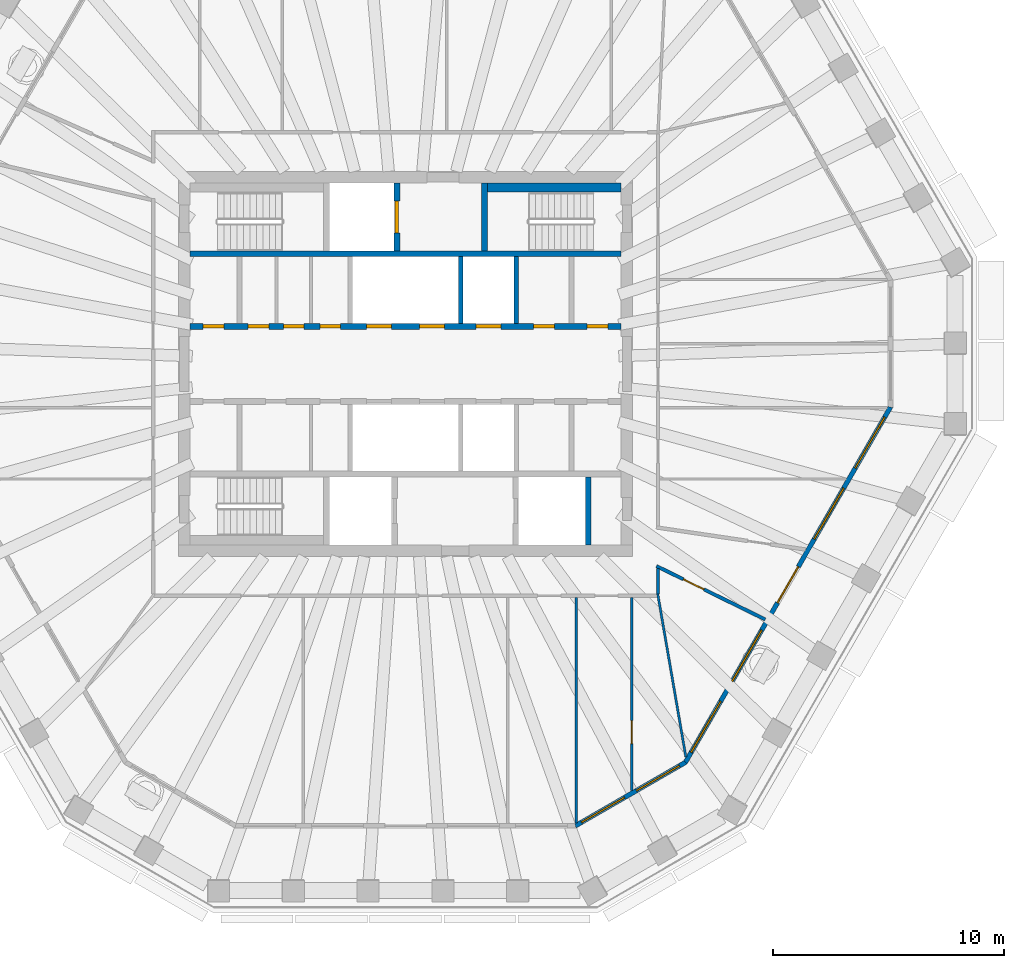
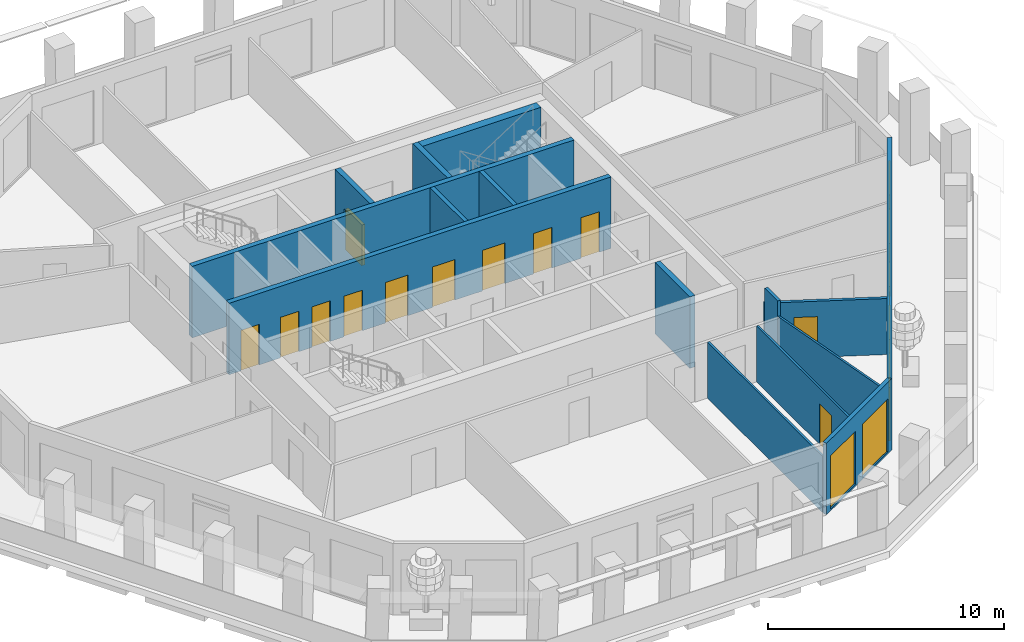
# One storey, part 5 of 12: 15 walls, 13 doors, 7 windows, 20 openings.
"""IFC4 building model written with IfcOpenShell, lengths in metres."""

from ifc_helpers import new_model, si_unit, direction, frame, frame_2d, origin, place, context, subcontext, project, spatial, polyline, rectangle, outline, extrude, material, layer, layer_set, type_object, element, fill, save


model = new_model("IFC4")

# Units and contexts
model_context = context("Model", 3, precision=1e-05, world=origin(), true_north=direction((0.0, 1.0)))
body_context = subcontext(model_context, "Body", "Model", "MODEL_VIEW")
ifc_project = project(units=[si_unit("LENGTHUNIT", "METRE"), si_unit("AREAUNIT", "SQUARE_METRE"), si_unit("VOLUMEUNIT", "CUBIC_METRE"), si_unit("PLANEANGLEUNIT", "RADIAN"), si_unit("MASSUNIT", "GRAM", prefix="KILO")], contexts=[model_context])

# Site, building, storey
site_placement = place(None, origin())
site = spatial("IfcSite", under=ifc_project, at=site_placement, CompositionType="ELEMENT")
building_placement = place(site_placement, origin())
building = spatial("IfcBuilding", under=site, at=building_placement, Name="Frailejon Research Tower", CompositionType="ELEMENT")
storey_placement = place(building_placement, frame((0.0, 0.0, 291.0)))
storey = spatial("IfcBuildingStorey", under=building, at=storey_placement, Name="L64", CompositionType="ELEMENT", Elevation=291.0)

# Wall
ifc_material_1 = material(Name="Gypsum board and masonry partition", Category="masonry")
ifc_layer_1 = layer(ifc_material_1, 0.14990234375)
ifc_layer_set_1 = layer_set([ifc_layer_1], Name="Corridor wall EI 60, gypsum on steel studs 150")
wall_type_1 = type_object("IfcWallType", Name="Corridor wall EI 60, gypsum on steel studs 150", PredefinedType="PARTITIONING", material=ifc_layer_set_1)
wall_1_placement = place(storey_placement, frame((10.949951171875, -9.97509765625, 0.0), z_axis=(0.0, 0.0, 1.0), x_axis=(0.0, 1.0, 0.0)))
element("IfcWall", 1, at=wall_1_placement, inside=storey, type_object=wall_type_1, Name="T:IW:L64:003", PredefinedType="PARTITIONING", context=body_context, shape_type="SweptSolid", body=[
    extrude(rectangle(XDim=1.10009765625, YDim=0.14990234375, at=frame_2d((0.550048828125, 0.0))), origin(), (0.0, 0.0, 1.0), 3.699951171875),
])

# Wall, opening, door
wall_2_placement = place(storey_placement, frame((10.8828125, -8.76708984375, 0.0), z_axis=(0.0, 0.0, 1.0), x_axis=(0.897683987508, -0.440639828625, 0.0)))
wall_2 = element("IfcWall", 2, at=wall_2_placement, inside=storey, type_object=wall_type_1, Name="T:IW:L64:009", PredefinedType="PARTITIONING", context=body_context, shape_type="SweptSolid", body=[
    extrude(rectangle(XDim=5.253662109375, YDim=0.14990234375, at=frame_2d((2.626953125, 0.0))), origin(), (0.0, 0.0, 1.0), 2.89990234375),
])
opening_1_placement = place(wall_2_placement, frame((1.294677734375, 0.0, 0.0)))
opening_1 = element("IfcOpeningElement", 3, at=opening_1_placement, cuts=wall_2, Name="Opening D2241", PredefinedType="OPENING", context=body_context, shape_type="SweptSolid", body=[
    extrude(rectangle(XDim=1.0, YDim=2.10009765625, at=frame_2d((0.5, 1.050048828125))), frame((0.0, 0.0849609375, 0.0), z_axis=(0.0, -1.0, 0.0), x_axis=(1.0, 0.0, 0.0)), (0.0, 0.0, 1.0), 0.169921875),
])
ifc_material_2 = material(Name="Timber door leaf", Category="wood")
door_type_1 = type_object("IfcDoorType", Name="Door single leaf, timber, steel frame 1000", OperationType="NOTDEFINED", PredefinedType="DOOR", material=ifc_material_2)
door_1_placement = place(opening_1_placement, origin())
door_1 = element("IfcDoor", 4, at=door_1_placement, inside=storey, type_object=door_type_1, Name="D2241", OperationType="SINGLE_SWING_RIGHT", OverallHeight=2.10009765625, OverallWidth=1.0, PredefinedType="DOOR", context=body_context, shape_type="SweptSolid", body=[
    extrude(rectangle(XDim=1.0, YDim=2.10009765625, at=frame_2d((0.5, 1.050048828125))), frame((0.0, 0.02490234375, 0.0), z_axis=(0.0, -1.0, 0.0), x_axis=(1.0, 0.0, 0.0)), (0.0, 0.0, 1.0), 0.050048828125),
])
fill(opening_1, door_1)

# Wall
ifc_material_3 = material(Name="Gypsum board and masonry partition", Category="masonry")
ifc_layer_2 = layer(ifc_material_3, 0.10009765625)
ifc_layer_set_2 = layer_set([ifc_layer_2], Name="Partition, gypsum on steel studs 100")
wall_type_2 = type_object("IfcWallType", Name="Partition, gypsum on steel studs 100", PredefinedType="PARTITIONING", material=ifc_layer_set_2)
wall_3_placement = place(storey_placement, frame((7.397705078125, -19.89892578125, 0.0), z_axis=(0.0, 0.0, 1.0), x_axis=(0.0, 1.0, 0.0)))
element("IfcWall", 5, at=wall_3_placement, inside=storey, type_object=wall_type_2, Name="T:IW:L64:026", PredefinedType="PARTITIONING", context=body_context, shape_type="SweptSolid", body=[
    extrude(rectangle(XDim=9.77392578125, YDim=0.10009765625, at=frame_2d((4.886962890625, 0.0))), origin(), (0.0, 0.0, 1.0), 2.89990234375),
])

# Wall, opening, door
wall_4_placement = place(storey_placement, frame((9.803955078125, -18.509765625, 0.0), z_axis=(0.0, 0.0, 1.0), x_axis=(0.0, 1.0, 0.0)))
wall_4 = element("IfcWall", 6, at=wall_4_placement, inside=storey, type_object=wall_type_2, Name="T:IW:L64:027", PredefinedType="PARTITIONING", context=body_context, shape_type="SweptSolid", body=[
    extrude(rectangle(XDim=8.384765625, YDim=0.10009765625, at=frame_2d((4.1923828125, 0.0))), origin(), (0.0, 0.0, 1.0), 2.89990234375),
])
opening_2_placement = place(wall_4_placement, frame((2.039794921875, 0.0, 0.0)))
opening_2 = element("IfcOpeningElement", 7, at=opening_2_placement, cuts=wall_4, Name="Opening D2240", PredefinedType="OPENING", context=body_context, shape_type="SweptSolid", body=[
    extrude(rectangle(XDim=1.0, YDim=2.10009765625, at=frame_2d((0.5, 1.050048828125))), frame((0.0, 0.06005859375, 0.0), z_axis=(0.0, -1.0, 0.0), x_axis=(1.0, 0.0, 0.0)), (0.0, 0.0, 1.0), 0.1201171875),
])
door_2_placement = place(opening_2_placement, origin())
door_2 = element("IfcDoor", 8, at=door_2_placement, inside=storey, type_object=door_type_1, Name="D2240", OperationType="SINGLE_SWING_RIGHT", OverallHeight=2.10009765625, OverallWidth=1.0, PredefinedType="DOOR", context=body_context, shape_type="SweptSolid", body=[
    extrude(rectangle(XDim=1.0, YDim=2.10009765625, at=frame_2d((0.5, 1.050048828125))), frame((0.0, 0.02490234375, 0.0), z_axis=(0.0, -1.0, 0.0), x_axis=(1.0, 0.0, 0.0)), (0.0, 0.0, 1.0), 0.050048828125),
])
fill(opening_2, door_2)

# Walls
wall_5_placement = place(storey_placement, frame((10.937255859375, -9.97607421875, 0.0), z_axis=(0.0, 0.0, 1.0), x_axis=(0.170071067824, -0.985431799715, 0.0)))
element("IfcWall", 9, at=wall_5_placement, inside=storey, type_object=wall_type_2, Name="T:IW:L64:028", PredefinedType="PARTITIONING", context=body_context, shape_type="SweptSolid", body=[
    extrude(rectangle(XDim=7.171875, YDim=0.10009765625, at=frame_2d((3.5859375, 0.0))), origin(), (0.0, 0.0, 1.0), 2.89990234375),
])
ifc_material_4 = material(Name="Concrete C50/60", Category="concrete")
ifc_layer_3 = layer(ifc_material_4, 0.199951171875)
ifc_layer_set_3 = layer_set([ifc_layer_3], Name="Shaft wall 200 C50/60")
wall_type_3 = type_object("IfcWallType", Name="Shaft wall 200 C50/60", PredefinedType="SOLIDWALL", material=ifc_layer_set_3)
for number, where, z_axis, x_axis, name in (
    (10, (2.39990234375, 1.75, 0.0), (0.0, 0.0, 1.0), (0.0, 1.0, 0.0), "Shaft wall"),
    (11, (4.800048828125, 1.75, 0.0), (0.0, 0.0, 1.0), (0.0, 1.0, 0.0), "Shaft wall"),
):
    element("IfcWall", number, at=place(storey_placement, frame(where, z_axis=z_axis, x_axis=x_axis)), inside=storey, type_object=wall_type_3, Name=name, PredefinedType="SOLIDWALL", context=body_context, shape_type="SweptSolid", body=[
        extrude(rectangle(XDim=2.89990234375, YDim=0.199951171875, at=frame_2d((1.449951171875, 0.0))), origin(), (0.0, 0.0, 1.0), 3.699951171875),
    ])

# Wall, openings, doors
ifc_material_5 = material(Name="Concrete C50/60", Category="concrete")
ifc_layer_4 = layer(ifc_material_5, 0.25)
ifc_layer_set_4 = layer_set([ifc_layer_4], Name="Shaft wall 250 C50/60")
wall_type_4 = type_object("IfcWallType", Name="Shaft wall 250 C50/60", PredefinedType="SOLIDWALL", material=ifc_layer_set_4)
wall_6_placement = place(storey_placement, frame((-9.35009765625, 1.625, 0.0), z_axis=(0.0, 0.0, 1.0), x_axis=(1.0, 0.0, 0.0)))
wall_6 = element("IfcWall", 12, at=wall_6_placement, inside=storey, type_object=wall_type_4, Name="Shaft wall", PredefinedType="SOLIDWALL", context=body_context, shape_type="SweptSolid", body=[
    extrude(rectangle(XDim=18.7001953125, YDim=0.25, at=frame_2d((9.35009765625, 0.0))), origin(), (0.0, 0.0, 1.0), 3.699951171875),
])
opening_3_placement = place(wall_6_placement, frame((7.64990234375, 0.0, 0.0)))
opening_3 = element("IfcOpeningElement", 13, at=opening_3_placement, cuts=wall_6, Name="Opening LD", PredefinedType="OPENING", context=body_context, shape_type="SweptSolid", body=[
    extrude(rectangle(XDim=1.10009765625, YDim=2.10009765625, at=frame_2d((0.550048828125, 1.050048828125))), frame((0.0, 0.135009765625, 0.0), z_axis=(0.0, -1.0, 0.0), x_axis=(1.0, 0.0, 0.0)), (0.0, 0.0, 1.0), 0.27001953125),
])
opening_4_placement = place(wall_6_placement, frame((9.949951171875, 0.0, 0.0)))
opening_4 = element("IfcOpeningElement", 14, at=opening_4_placement, cuts=wall_6, Name="Opening LD", PredefinedType="OPENING", context=body_context, shape_type="SweptSolid", body=[
    extrude(rectangle(XDim=1.10009765625, YDim=2.10009765625, at=frame_2d((0.550048828125, 1.050048828125))), frame((0.0, 0.135009765625, 0.0), z_axis=(0.0, -1.0, 0.0), x_axis=(1.0, 0.0, 0.0)), (0.0, 0.0, 1.0), 0.27001953125),
])
opening_5_placement = place(wall_6_placement, frame((12.39990234375, 0.0, 0.0)))
opening_5 = element("IfcOpeningElement", 15, at=opening_5_placement, cuts=wall_6, Name="Opening LD", PredefinedType="OPENING", context=body_context, shape_type="SweptSolid", body=[
    extrude(rectangle(XDim=1.10009765625, YDim=2.10009765625, at=frame_2d((0.550048828125, 1.050048828125))), frame((0.0, 0.135009765625, 0.0), z_axis=(0.0, -1.0, 0.0), x_axis=(1.0, 0.0, 0.0)), (0.0, 0.0, 1.0), 0.27001953125),
])
opening_6_placement = place(wall_6_placement, frame((0.574951171875, 0.0, 0.0)))
opening_6 = element("IfcOpeningElement", 16, at=opening_6_placement, cuts=wall_6, Name="Opening D8", PredefinedType="OPENING", context=body_context, shape_type="SweptSolid", body=[
    extrude(rectangle(XDim=0.89990234375, YDim=2.10009765625, at=frame_2d((0.449951171875, 1.050048828125))), frame((0.0, 0.135009765625, 0.0), z_axis=(0.0, -1.0, 0.0), x_axis=(1.0, 0.0, 0.0)), (0.0, 0.0, 1.0), 0.27001953125),
])
opening_7_placement = place(wall_6_placement, frame((2.518798828125, 0.0, 0.0)))
opening_7 = element("IfcOpeningElement", 17, at=opening_7_placement, cuts=wall_6, Name="Opening D8", PredefinedType="OPENING", context=body_context, shape_type="SweptSolid", body=[
    extrude(rectangle(XDim=0.89990234375, YDim=2.10009765625, at=frame_2d((0.449951171875, 1.050048828125))), frame((0.0, 0.135009765625, 0.0), z_axis=(0.0, -1.0, 0.0), x_axis=(1.0, 0.0, 0.0)), (0.0, 0.0, 1.0), 0.27001953125),
])
opening_8_placement = place(wall_6_placement, frame((4.050048828125, 0.0, 0.0)))
opening_8 = element("IfcOpeningElement", 18, at=opening_8_placement, cuts=wall_6, Name="Opening D8", PredefinedType="OPENING", context=body_context, shape_type="SweptSolid", body=[
    extrude(rectangle(XDim=0.89990234375, YDim=2.10009765625, at=frame_2d((0.449951171875, 1.050048828125))), frame((0.0, 0.135009765625, 0.0), z_axis=(0.0, -1.0, 0.0), x_axis=(1.0, 0.0, 0.0)), (0.0, 0.0, 1.0), 0.27001953125),
])
opening_9_placement = place(wall_6_placement, frame((5.631103515625, 0.0, 0.0)))
opening_9 = element("IfcOpeningElement", 19, at=opening_9_placement, cuts=wall_6, Name="Opening D8", PredefinedType="OPENING", context=body_context, shape_type="SweptSolid", body=[
    extrude(rectangle(XDim=0.89990234375, YDim=2.10009765625, at=frame_2d((0.449951171875, 1.050048828125))), frame((0.0, 0.135009765625, 0.0), z_axis=(0.0, -1.0, 0.0), x_axis=(1.0, 0.0, 0.0)), (0.0, 0.0, 1.0), 0.27001953125),
])
opening_10_placement = place(wall_6_placement, frame((14.89990234375, 0.0, 0.0)))
opening_10 = element("IfcOpeningElement", 20, at=opening_10_placement, cuts=wall_6, Name="Opening D8", PredefinedType="OPENING", context=body_context, shape_type="SweptSolid", body=[
    extrude(rectangle(XDim=0.89990234375, YDim=2.10009765625, at=frame_2d((0.449951171875, 1.050048828125))), frame((0.0, 0.135009765625, 0.0), z_axis=(0.0, -1.0, 0.0), x_axis=(1.0, 0.0, 0.0)), (0.0, 0.0, 1.0), 0.27001953125),
])
opening_11_placement = place(wall_6_placement, frame((17.22509765625, 0.0, 0.0)))
opening_11 = element("IfcOpeningElement", 21, at=opening_11_placement, cuts=wall_6, Name="Opening D8", PredefinedType="OPENING", context=body_context, shape_type="SweptSolid", body=[
    extrude(rectangle(XDim=0.89990234375, YDim=2.10009765625, at=frame_2d((0.449951171875, 1.050048828125))), frame((0.0, 0.135009765625, 0.0), z_axis=(0.0, -1.0, 0.0), x_axis=(1.0, 0.0, 0.0)), (0.0, 0.0, 1.0), 0.27001953125),
])
ifc_material_6 = material(Name="Steel", Category="steel")
door_type_2 = type_object("IfcDoorType", Name="Core room door", OperationType="SINGLE_SWING_LEFT", PredefinedType="DOOR", material=ifc_material_6)
door_3_placement = place(opening_6_placement, origin())
door_3 = element("IfcDoor", 22, at=door_3_placement, inside=storey, type_object=door_type_2, Name="Room door", OperationType="SINGLE_SWING_LEFT", OverallHeight=2.10009765625, OverallWidth=0.89990234375, PredefinedType="DOOR", context=body_context, shape_type="SweptSolid", body=[
    extrude(rectangle(XDim=0.89990234375, YDim=2.10009765625, at=frame_2d((0.449951171875, 1.050048828125))), frame((0.0, 0.074951171875, 0.0), z_axis=(0.0, -1.0, 0.0), x_axis=(1.0, 0.0, 0.0)), (0.0, 0.0, 1.0), 0.14990234375),
])
fill(opening_6, door_3)
door_4_placement = place(opening_7_placement, origin())
door_4 = element("IfcDoor", 23, at=door_4_placement, inside=storey, type_object=door_type_2, Name="Room door", OperationType="SINGLE_SWING_RIGHT", OverallHeight=2.10009765625, OverallWidth=0.89990234375, PredefinedType="DOOR", context=body_context, shape_type="SweptSolid", body=[
    extrude(rectangle(XDim=0.89990234375, YDim=2.10009765625, at=frame_2d((0.449951171875, 1.050048828125))), frame((0.0, 0.074951171875, 0.0), z_axis=(0.0, -1.0, 0.0), x_axis=(1.0, 0.0, 0.0)), (0.0, 0.0, 1.0), 0.14990234375),
])
fill(opening_7, door_4)
door_5_placement = place(opening_8_placement, origin())
door_5 = element("IfcDoor", 24, at=door_5_placement, inside=storey, type_object=door_type_2, Name="Room door", OperationType="SINGLE_SWING_LEFT", OverallHeight=2.10009765625, OverallWidth=0.89990234375, PredefinedType="DOOR", context=body_context, shape_type="SweptSolid", body=[
    extrude(rectangle(XDim=0.89990234375, YDim=2.10009765625, at=frame_2d((0.449951171875, 1.050048828125))), frame((0.0, 0.074951171875, 0.0), z_axis=(0.0, -1.0, 0.0), x_axis=(1.0, 0.0, 0.0)), (0.0, 0.0, 1.0), 0.14990234375),
])
fill(opening_8, door_5)
door_6_placement = place(opening_9_placement, origin())
door_6 = element("IfcDoor", 25, at=door_6_placement, inside=storey, type_object=door_type_2, Name="Room door", OperationType="SINGLE_SWING_RIGHT", OverallHeight=2.10009765625, OverallWidth=0.89990234375, PredefinedType="DOOR", context=body_context, shape_type="SweptSolid", body=[
    extrude(rectangle(XDim=0.89990234375, YDim=2.10009765625, at=frame_2d((0.449951171875, 1.050048828125))), frame((0.0, 0.074951171875, 0.0), z_axis=(0.0, -1.0, 0.0), x_axis=(1.0, 0.0, 0.0)), (0.0, 0.0, 1.0), 0.14990234375),
])
fill(opening_9, door_6)
door_7_placement = place(opening_10_placement, origin())
door_7 = element("IfcDoor", 26, at=door_7_placement, inside=storey, type_object=door_type_2, Name="Room door", OperationType="SINGLE_SWING_LEFT", OverallHeight=2.10009765625, OverallWidth=0.89990234375, PredefinedType="DOOR", context=body_context, shape_type="SweptSolid", body=[
    extrude(rectangle(XDim=0.89990234375, YDim=2.10009765625, at=frame_2d((0.449951171875, 1.050048828125))), frame((0.0, 0.074951171875, 0.0), z_axis=(0.0, -1.0, 0.0), x_axis=(1.0, 0.0, 0.0)), (0.0, 0.0, 1.0), 0.14990234375),
])
fill(opening_10, door_7)
door_8_placement = place(opening_11_placement, origin())
door_8 = element("IfcDoor", 27, at=door_8_placement, inside=storey, type_object=door_type_2, Name="Room door", OperationType="SINGLE_SWING_RIGHT", OverallHeight=2.10009765625, OverallWidth=0.89990234375, PredefinedType="DOOR", context=body_context, shape_type="SweptSolid", body=[
    extrude(rectangle(XDim=0.89990234375, YDim=2.10009765625, at=frame_2d((0.449951171875, 1.050048828125))), frame((0.0, 0.074951171875, 0.0), z_axis=(0.0, -1.0, 0.0), x_axis=(1.0, 0.0, 0.0)), (0.0, 0.0, 1.0), 0.14990234375),
])
fill(opening_11, door_8)
ifc_material_7 = material(Name="Steel", Category="steel")
door_type_3 = type_object("IfcDoorType", Name="Lift landing door", OperationType="DOUBLE_DOOR_SLIDING", PredefinedType="DOOR", material=ifc_material_7)
door_9_placement = place(opening_3_placement, origin())
door_9 = element("IfcDoor", 28, at=door_9_placement, inside=storey, type_object=door_type_3, Name="Lift landing door", OperationType="DOUBLE_DOOR_SLIDING", OverallHeight=2.10009765625, OverallWidth=1.10009765625, PredefinedType="DOOR", context=body_context, shape_type="SweptSolid", body=[
    extrude(rectangle(XDim=1.10009765625, YDim=2.10009765625, at=frame_2d((0.550048828125, 1.050048828125))), frame((0.0, 0.074951171875, 0.0), z_axis=(0.0, -1.0, 0.0), x_axis=(1.0, 0.0, 0.0)), (0.0, 0.0, 1.0), 0.14990234375),
])
fill(opening_3, door_9)
door_10_placement = place(opening_4_placement, origin())
door_10 = element("IfcDoor", 29, at=door_10_placement, inside=storey, type_object=door_type_3, Name="Lift landing door", OperationType="DOUBLE_DOOR_SLIDING", OverallHeight=2.10009765625, OverallWidth=1.10009765625, PredefinedType="DOOR", context=body_context, shape_type="SweptSolid", body=[
    extrude(rectangle(XDim=1.10009765625, YDim=2.10009765625, at=frame_2d((0.550048828125, 1.050048828125))), frame((0.0, 0.074951171875, 0.0), z_axis=(0.0, -1.0, 0.0), x_axis=(1.0, 0.0, 0.0)), (0.0, 0.0, 1.0), 0.14990234375),
])
fill(opening_4, door_10)
door_11_placement = place(opening_5_placement, origin())
door_11 = element("IfcDoor", 30, at=door_11_placement, inside=storey, type_object=door_type_3, Name="Lift landing door", OperationType="DOUBLE_DOOR_SLIDING", OverallHeight=2.10009765625, OverallWidth=1.10009765625, PredefinedType="DOOR", context=body_context, shape_type="SweptSolid", body=[
    extrude(rectangle(XDim=1.10009765625, YDim=2.10009765625, at=frame_2d((0.550048828125, 1.050048828125))), frame((0.0, 0.074951171875, 0.0), z_axis=(0.0, -1.0, 0.0), x_axis=(1.0, 0.0, 0.0)), (0.0, 0.0, 1.0), 0.14990234375),
])
fill(opening_5, door_11)

# Wall
wall_7_placement = place(storey_placement, frame((-9.35009765625, 4.77490234375, 0.0), z_axis=(0.0, 0.0, 1.0), x_axis=(1.0, 0.0, 0.0)))
element("IfcWall", 31, at=wall_7_placement, inside=storey, type_object=wall_type_4, Name="Shaft wall", PredefinedType="SOLIDWALL", context=body_context, shape_type="SweptSolid", body=[
    extrude(rectangle(XDim=18.7001953125, YDim=0.25, at=frame_2d((9.35009765625, 0.0))), origin(), (0.0, 0.0, 1.0), 3.699951171875),
])

# Wall, opening, door
wall_8_placement = place(storey_placement, frame((-0.375, 4.89990234375, 0.0), z_axis=(0.0, 0.0, 1.0), x_axis=(0.0, 1.0, 0.0)))
wall_8 = element("IfcWall", 32, at=wall_8_placement, inside=storey, type_object=wall_type_4, Name="Shaft wall", PredefinedType="SOLIDWALL", context=body_context, shape_type="SweptSolid", body=[
    extrude(rectangle(XDim=2.9501953125, YDim=0.25, at=frame_2d((1.47509765625, 0.0))), origin(), (0.0, 0.0, 1.0), 3.699951171875),
])
opening_12_placement = place(wall_8_placement, frame((0.77490234375, 0.0, 0.0)))
opening_12 = element("IfcOpeningElement", 33, at=opening_12_placement, cuts=wall_8, Name="Opening LD2", PredefinedType="OPENING", context=body_context, shape_type="SweptSolid", body=[
    extrude(rectangle(XDim=1.39990234375, YDim=2.10009765625, at=frame_2d((0.699951171875, 1.050048828125))), frame((0.0, 0.135009765625, 0.0), z_axis=(0.0, -1.0, 0.0), x_axis=(1.0, 0.0, 0.0)), (0.0, 0.0, 1.0), 0.27001953125),
])
ifc_material_8 = material(Name="Stainless steel", Category="steel")
door_type_4 = type_object("IfcDoorType", Name="Goods landing door", OperationType="DOUBLE_DOOR_SLIDING", PredefinedType="DOOR", material=ifc_material_8)
door_12_placement = place(opening_12_placement, origin())
door_12 = element("IfcDoor", 34, at=door_12_placement, inside=storey, type_object=door_type_4, Name="Lift landing door", OperationType="DOUBLE_DOOR_SLIDING", OverallHeight=2.10009765625, OverallWidth=1.39990234375, PredefinedType="DOOR", context=body_context, shape_type="SweptSolid", body=[
    extrude(rectangle(XDim=1.39990234375, YDim=2.10009765625, at=frame_2d((0.699951171875, 1.050048828125))), frame((0.0, 0.074951171875, 0.0), z_axis=(0.0, -1.0, 0.0), x_axis=(1.0, 0.0, 0.0)), (0.0, 0.0, 1.0), 0.14990234375),
])
fill(opening_12, door_12)

# Walls
for number, where, z_axis, x_axis, name in (
    (35, (3.425048828125, 4.89990234375, 0.0), (0.0, 0.0, 1.0), (0.0, 1.0, 0.0), "Shaft wall"),
    (36, (7.925048828125, -7.85009765625, 0.0), (0.0, 0.0, 1.0), (0.0, 1.0, 0.0), "Shaft wall"),
):
    element("IfcWall", number, at=place(storey_placement, frame(where, z_axis=z_axis, x_axis=x_axis)), inside=storey, type_object=wall_type_4, Name=name, PredefinedType="SOLIDWALL", context=body_context, shape_type="SweptSolid", body=[
        extrude(rectangle(XDim=2.9501953125, YDim=0.25, at=frame_2d((1.47509765625, 0.0))), origin(), (0.0, 0.0, 1.0), 3.699951171875),
    ])
ifc_material_9 = material(Name="Concrete C50/60", Category="concrete")
ifc_layer_5 = layer(ifc_material_9, 0.39990234375)
ifc_layer_set_5 = layer_set([ifc_layer_5], Name="Shaft wall 400 C50/60")
wall_type_5 = type_object("IfcWallType", Name="Shaft wall 400 C50/60", PredefinedType="SOLIDWALL", material=ifc_layer_set_5)
wall_9_placement = place(storey_placement, frame((3.550048828125, 7.64990234375, 0.0), z_axis=(0.0, 0.0, 1.0), x_axis=(1.0, 0.0, 0.0)))
element("IfcWall", 37, at=wall_9_placement, inside=storey, type_object=wall_type_5, Name="Shaft wall", PredefinedType="SOLIDWALL", context=body_context, shape_type="SweptSolid", body=[
    extrude(rectangle(XDim=5.800048828125, YDim=0.39990234375, at=frame_2d((2.89990234375, 0.0))), origin(), (0.0, 0.0, 1.0), 3.699951171875),
])

# Wall, openings, windows
ifc_material_10 = material(Name="Concrete C40/50 precast window wall panel", Category="concrete")
ifc_layer_6 = layer(ifc_material_10, 0.199951171875)
ifc_layer_set_6 = layer_set([ifc_layer_6], Name="Window wall 200")
wall_type_6 = type_object("IfcWallType", Name="Window wall 200", PredefinedType="SOLIDWALL", material=ifc_layer_set_6)
wall_10_placement = place(storey_placement, frame((7.370849609375, -20.02978515625, 0.0), z_axis=(0.0, 0.0, 1.0), x_axis=(0.866045226484, 0.499965664505, 0.0)))
wall_10 = element("IfcWall", 38, at=wall_10_placement, inside=storey, type_object=wall_type_6, Name="Exterior wall L64", PredefinedType="SOLIDWALL", context=body_context, shape_type="SweptSolid", body=[
    extrude(outline(polyline([(-0.02685546875, -0.10009765625), (1.08447265625, -0.10009765625), (2.196044921875, -0.10009765625), (3.307373046875, -0.10009765625), (4.4189453125, -0.10009765625), (5.5302734375, -0.10009765625), (5.4765625, 0.10009765625), (4.38671875, 0.10009765625), (3.296630859375, 0.10009765625), (2.206787109375, 0.10009765625), (1.11669921875, 0.10009765625), (0.02685546875, 0.10009765625), (-0.02685546875, -0.10009765625)])), origin(), (0.0, 0.0, 1.0), 3.699951171875),
])
opening_13_placement = place(wall_10_placement, frame((0.30078125, 0.0, 0.10009765625)))
opening_13 = element("IfcOpeningElement", 39, at=opening_13_placement, cuts=wall_10, Name="Opening W22", PredefinedType="OPENING", context=body_context, shape_type="SweptSolid", body=[
    extrude(rectangle(XDim=2.14990234375, YDim=2.75, at=frame_2d((1.074951171875, 1.375))), frame((0.0, 0.10986328125, 0.0), z_axis=(0.0, -1.0, 0.0), x_axis=(1.0, 0.0, 0.0)), (0.0, 0.0, 1.0), 0.219970703125),
])
opening_14_placement = place(wall_10_placement, frame((3.052490234375, 0.0, 0.10009765625)))
opening_14 = element("IfcOpeningElement", 40, at=opening_14_placement, cuts=wall_10, Name="Opening W22", PredefinedType="OPENING", context=body_context, shape_type="SweptSolid", body=[
    extrude(rectangle(XDim=2.14990234375, YDim=2.75, at=frame_2d((1.074951171875, 1.375))), frame((0.0, 0.10986328125, 0.0), z_axis=(0.0, -1.0, 0.0), x_axis=(1.0, 0.0, 0.0)), (0.0, 0.0, 1.0), 0.219970703125),
])
ifc_material_11 = material(Name="Aluminium framed double glazing", Category="aluminium")
window_type_1 = type_object("IfcWindowType", Name="Window 2150x2750", PartitioningType="SINGLE_PANEL", PredefinedType="WINDOW", material=ifc_material_11)
window_1_placement = place(opening_13_placement, origin())
window_1 = element("IfcWindow", 41, at=window_1_placement, inside=storey, type_object=window_type_1, Name="Window L64", OverallHeight=2.75, OverallWidth=2.14990234375, PartitioningType="SINGLE_PANEL", PredefinedType="WINDOW", context=body_context, shape_type="SweptSolid", body=[
    extrude(rectangle(XDim=2.14990234375, YDim=2.75, at=frame_2d((1.074951171875, 1.375))), frame((0.0, 0.030029296875, 0.0), z_axis=(0.0, -1.0, 0.0), x_axis=(1.0, 0.0, 0.0)), (0.0, 0.0, 1.0), 0.06005859375),
])
fill(opening_13, window_1)
window_2_placement = place(opening_14_placement, origin())
window_2 = element("IfcWindow", 42, at=window_2_placement, inside=storey, type_object=window_type_1, Name="Window L64", OverallHeight=2.75, OverallWidth=2.14990234375, PartitioningType="SINGLE_PANEL", PredefinedType="WINDOW", context=body_context, shape_type="SweptSolid", body=[
    extrude(rectangle(XDim=2.14990234375, YDim=2.75, at=frame_2d((1.074951171875, 1.375))), frame((0.0, 0.030029296875, 0.0), z_axis=(0.0, -1.0, 0.0), x_axis=(1.0, 0.0, 0.0)), (0.0, 0.0, 1.0), 0.06005859375),
])
fill(opening_14, window_2)

# Wall, openings, door, windows
wall_11_placement = place(storey_placement, frame((12.136962890625, -17.2783203125, 0.0), z_axis=(0.0, 0.0, 1.0), x_axis=(0.499992911004, 0.86602949658, 0.0)))
wall_11 = element("IfcWall", 43, at=wall_11_placement, inside=storey, type_object=wall_type_6, Name="Exterior wall L64", PredefinedType="SOLIDWALL", context=body_context, shape_type="SweptSolid", body=[
    extrude(outline(polyline([(-0.02685546875, -0.10009765625), (1.022705078125, -0.10009765625), (2.072265625, -0.10009765625), (3.1220703125, -0.10009765625), (4.171630859375, -0.10009765625), (5.22119140625, -0.10009765625), (6.270751953125, -0.10009765625), (7.320556640625, -0.10009765625), (8.3701171875, -0.10009765625), (9.419677734375, -0.10009765625), (10.46923828125, -0.10009765625), (11.51904296875, -0.10009765625), (12.568603515625, -0.10009765625), (13.6181640625, -0.10009765625), (14.667724609375, -0.10009765625), (15.717529296875, -0.10009765625), (16.76708984375, -0.10009765625), (17.816650390625, -0.10009765625), (17.762939453125, 0.10009765625), (16.7197265625, 0.10009765625), (15.67626953125, 0.10009765625), (14.633056640625, 0.10009765625), (13.58984375, 0.10009765625), (12.54638671875, 0.10009765625), (11.503173828125, 0.10009765625), (10.4599609375, 0.10009765625), (9.41650390625, 0.10009765625), (8.373291015625, 0.10009765625), (7.329833984375, 0.10009765625), (6.28662109375, 0.10009765625), (5.243408203125, 0.10009765625), (4.199951171875, 0.10009765625), (3.15673828125, 0.10009765625), (2.113525390625, 0.10009765625), (1.070068359375, 0.10009765625), (0.02685546875, 0.10009765625), (-0.02685546875, -0.10009765625)])), origin(), (0.0, 0.0, 1.0), 3.699951171875),
])
opening_15_placement = place(wall_11_placement, frame((0.50390625, 0.0, 0.10009765625)))
opening_15 = element("IfcOpeningElement", 44, at=opening_15_placement, cuts=wall_11, Name="Opening W25", PredefinedType="OPENING", context=body_context, shape_type="SweptSolid", body=[
    extrude(rectangle(XDim=2.550048828125, YDim=2.75, at=frame_2d((1.27490234375, 1.375))), frame((0.0, 0.10986328125, 0.0), z_axis=(0.0, -1.0, 0.0), x_axis=(1.0, 0.0, 0.0)), (0.0, 0.0, 1.0), 0.219970703125),
])
opening_16_placement = place(wall_11_placement, frame((4.06201171875, 0.0, 0.10009765625)))
opening_16 = element("IfcOpeningElement", 45, at=opening_16_placement, cuts=wall_11, Name="Opening W25", PredefinedType="OPENING", context=body_context, shape_type="SweptSolid", body=[
    extrude(rectangle(XDim=2.550048828125, YDim=2.75, at=frame_2d((1.27490234375, 1.375))), frame((0.0, 0.10986328125, 0.0), z_axis=(0.0, -1.0, 0.0), x_axis=(1.0, 0.0, 0.0)), (0.0, 0.0, 1.0), 0.219970703125),
])
opening_17_placement = place(wall_11_placement, frame((7.994873046875, 0.0, 0.0)))
opening_17 = element("IfcOpeningElement", 46, at=opening_17_placement, cuts=wall_11, Name="Opening LG64-6", PredefinedType="OPENING", context=body_context, shape_type="SweptSolid", body=[
    extrude(rectangle(XDim=1.800048828125, YDim=2.39990234375, at=frame_2d((0.89990234375, 1.199951171875))), frame((0.0, 0.10986328125, 0.0), z_axis=(0.0, -1.0, 0.0), x_axis=(1.0, 0.0, 0.0)), (0.0, 0.0, 1.0), 0.219970703125),
])
opening_18_placement = place(wall_11_placement, frame((7.994873046875, 0.0, 2.550048828125)))
opening_18 = element("IfcOpeningElement", 47, at=opening_18_placement, cuts=wall_11, Name="Opening W24", PredefinedType="OPENING", context=body_context, shape_type="SweptSolid", body=[
    extrude(rectangle(XDim=1.800048828125, YDim=0.300048828125, at=frame_2d((0.89990234375, 0.14990234375))), frame((0.0, 0.10986328125, 0.0), z_axis=(0.0, -1.0, 0.0), x_axis=(1.0, 0.0, 0.0)), (0.0, 0.0, 1.0), 0.219970703125),
])
opening_19_placement = place(wall_11_placement, frame((11.177978515625, 0.0, 0.10009765625)))
opening_19 = element("IfcOpeningElement", 48, at=opening_19_placement, cuts=wall_11, Name="Opening W25", PredefinedType="OPENING", context=body_context, shape_type="SweptSolid", body=[
    extrude(rectangle(XDim=2.550048828125, YDim=2.75, at=frame_2d((1.27490234375, 1.375))), frame((0.0, 0.10986328125, 0.0), z_axis=(0.0, -1.0, 0.0), x_axis=(1.0, 0.0, 0.0)), (0.0, 0.0, 1.0), 0.219970703125),
])
opening_20_placement = place(wall_11_placement, frame((14.73583984375, 0.0, 0.10009765625)))
opening_20 = element("IfcOpeningElement", 49, at=opening_20_placement, cuts=wall_11, Name="Opening W25", PredefinedType="OPENING", context=body_context, shape_type="SweptSolid", body=[
    extrude(rectangle(XDim=2.550048828125, YDim=2.75, at=frame_2d((1.27490234375, 1.375))), frame((0.0, 0.10986328125, 0.0), z_axis=(0.0, -1.0, 0.0), x_axis=(1.0, 0.0, 0.0)), (0.0, 0.0, 1.0), 0.219970703125),
])
ifc_material_12 = material(Name="Aluminium framed glazed door leaf", Category="aluminium")
door_type_5 = type_object("IfcDoorType", Name="Loggia door 1800x2400", OperationType="DOUBLE_DOOR_SINGLE_SWING", PredefinedType="DOOR", material=ifc_material_12)
door_13_placement = place(opening_17_placement, origin())
door_13 = element("IfcDoor", 50, at=door_13_placement, inside=storey, type_object=door_type_5, Name="Door LG64-6", OperationType="DOUBLE_DOOR_SINGLE_SWING", OverallHeight=2.39990234375, OverallWidth=1.800048828125, PredefinedType="DOOR", context=body_context, shape_type="SweptSolid", body=[
    extrude(rectangle(XDim=1.800048828125, YDim=2.39990234375, at=frame_2d((0.89990234375, 1.199951171875))), frame((0.0, 0.02490234375, 0.0), z_axis=(0.0, -1.0, 0.0), x_axis=(1.0, 0.0, 0.0)), (0.0, 0.0, 1.0), 0.050048828125),
])
fill(opening_17, door_13)
ifc_material_13 = material(Name="Aluminium framed double glazing", Category="aluminium")
window_type_2 = type_object("IfcWindowType", Name="Window 1800x300", PartitioningType="SINGLE_PANEL", PredefinedType="WINDOW", material=ifc_material_13)
window_3_placement = place(opening_18_placement, origin())
window_3 = element("IfcWindow", 51, at=window_3_placement, inside=storey, type_object=window_type_2, Name="Window L64", OverallHeight=0.300048828125, OverallWidth=1.800048828125, PartitioningType="SINGLE_PANEL", PredefinedType="WINDOW", context=body_context, shape_type="SweptSolid", body=[
    extrude(rectangle(XDim=1.800048828125, YDim=0.300048828125, at=frame_2d((0.89990234375, 0.14990234375))), frame((0.0, 0.030029296875, 0.0), z_axis=(0.0, -1.0, 0.0), x_axis=(1.0, 0.0, 0.0)), (0.0, 0.0, 1.0), 0.06005859375),
])
fill(opening_18, window_3)
ifc_material_14 = material(Name="Aluminium framed double glazing", Category="aluminium")
window_type_3 = type_object("IfcWindowType", Name="Window 2550x2750", PartitioningType="SINGLE_PANEL", PredefinedType="WINDOW", material=ifc_material_14)
window_4_placement = place(opening_15_placement, origin())
window_4 = element("IfcWindow", 52, at=window_4_placement, inside=storey, type_object=window_type_3, Name="Window L64", OverallHeight=2.75, OverallWidth=2.550048828125, PartitioningType="SINGLE_PANEL", PredefinedType="WINDOW", context=body_context, shape_type="SweptSolid", body=[
    extrude(rectangle(XDim=2.550048828125, YDim=2.75, at=frame_2d((1.27490234375, 1.375))), frame((0.0, 0.030029296875, 0.0), z_axis=(0.0, -1.0, 0.0), x_axis=(1.0, 0.0, 0.0)), (0.0, 0.0, 1.0), 0.06005859375),
])
fill(opening_15, window_4)
window_5_placement = place(opening_16_placement, origin())
window_5 = element("IfcWindow", 53, at=window_5_placement, inside=storey, type_object=window_type_3, Name="Window L64", OverallHeight=2.75, OverallWidth=2.550048828125, PartitioningType="SINGLE_PANEL", PredefinedType="WINDOW", context=body_context, shape_type="SweptSolid", body=[
    extrude(rectangle(XDim=2.550048828125, YDim=2.75, at=frame_2d((1.27490234375, 1.375))), frame((0.0, 0.030029296875, 0.0), z_axis=(0.0, -1.0, 0.0), x_axis=(1.0, 0.0, 0.0)), (0.0, 0.0, 1.0), 0.06005859375),
])
fill(opening_16, window_5)
window_6_placement = place(opening_19_placement, origin())
window_6 = element("IfcWindow", 54, at=window_6_placement, inside=storey, type_object=window_type_3, Name="Window L64", OverallHeight=2.75, OverallWidth=2.550048828125, PartitioningType="SINGLE_PANEL", PredefinedType="WINDOW", context=body_context, shape_type="SweptSolid", body=[
    extrude(rectangle(XDim=2.550048828125, YDim=2.75, at=frame_2d((1.27490234375, 1.375))), frame((0.0, 0.030029296875, 0.0), z_axis=(0.0, -1.0, 0.0), x_axis=(1.0, 0.0, 0.0)), (0.0, 0.0, 1.0), 0.06005859375),
])
fill(opening_19, window_6)
window_7_placement = place(opening_20_placement, origin())
window_7 = element("IfcWindow", 55, at=window_7_placement, inside=storey, type_object=window_type_3, Name="Window L64", OverallHeight=2.75, OverallWidth=2.550048828125, PartitioningType="SINGLE_PANEL", PredefinedType="WINDOW", context=body_context, shape_type="SweptSolid", body=[
    extrude(rectangle(XDim=2.550048828125, YDim=2.75, at=frame_2d((1.27490234375, 1.375))), frame((0.0, 0.030029296875, 0.0), z_axis=(0.0, -1.0, 0.0), x_axis=(1.0, 0.0, 0.0)), (0.0, 0.0, 1.0), 0.06005859375),
])
fill(opening_20, window_7)

save(model, "model.ifc")
